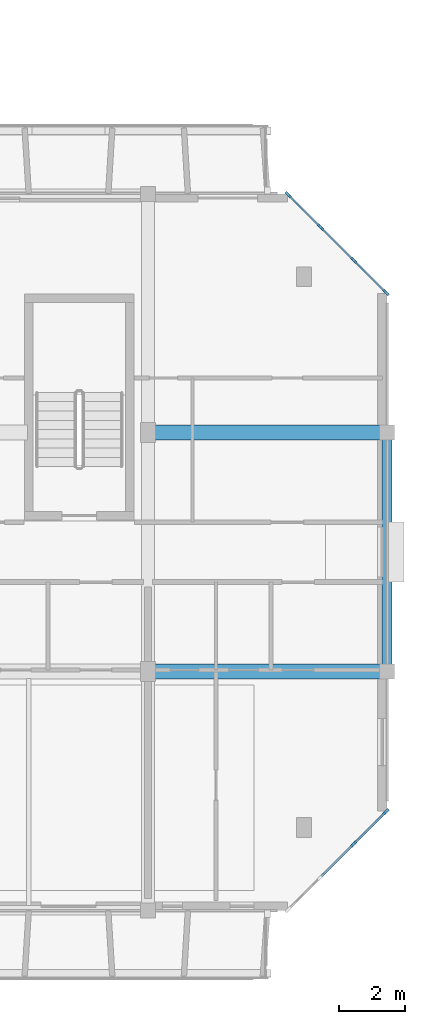
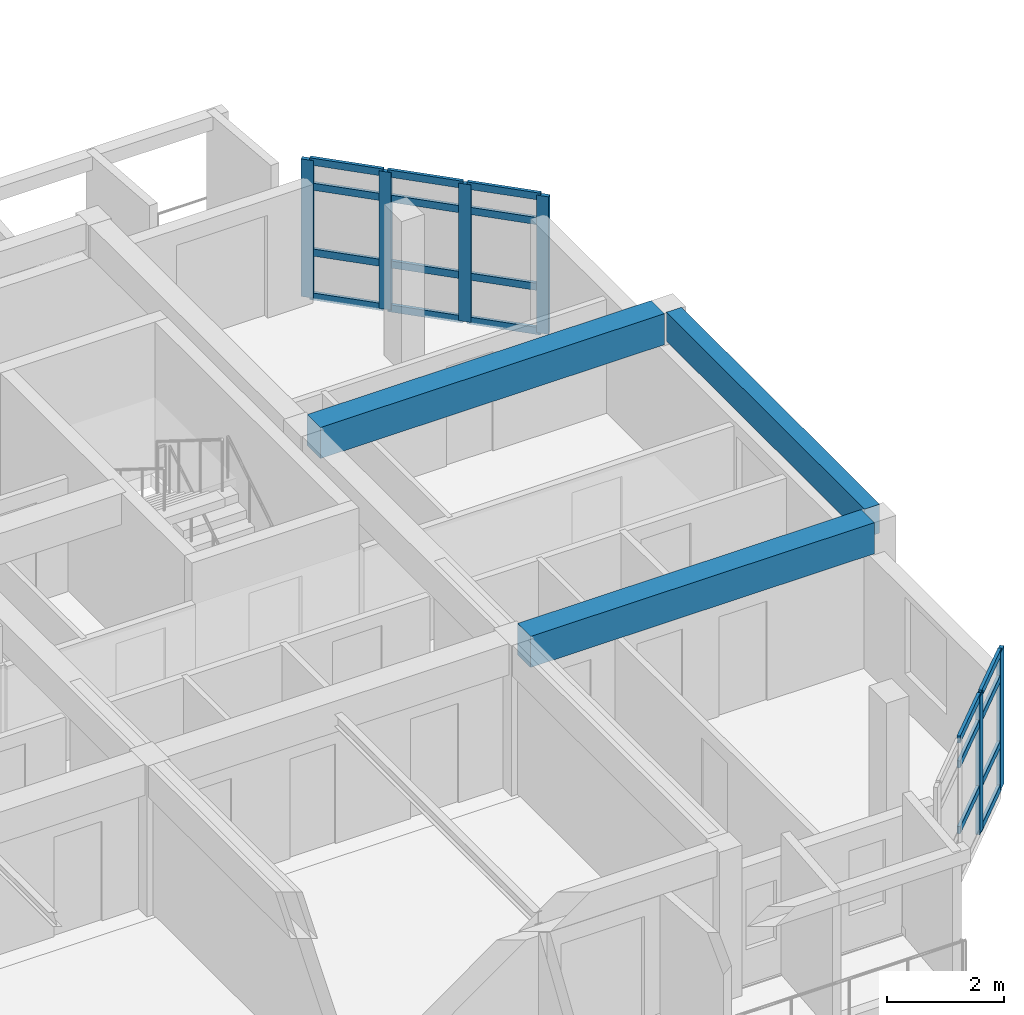
# One storey, part 11 of 43: 25 members, 3 beams, 2 elements without a shape of their own.
"""IFC4 building model written with IfcOpenShell, lengths in metres."""

from ifc_helpers import new_model, si_unit, direction, frame, origin, origin_2d, place, context, subcontext, project, spatial, rectangle, extrude, material, layer, layer_set, material_profile, profile_set, type_object, element, aggregate, save


model = new_model("IFC4")

# Units and contexts
model_context = context("Model", 3, precision=1e-05, world=origin(), true_north=direction((0.0, 1.0)))
body_context = subcontext(model_context, "Body", "Model", "MODEL_VIEW")
ifc_project = project(units=[si_unit("LENGTHUNIT", "METRE"), si_unit("AREAUNIT", "SQUARE_METRE"), si_unit("VOLUMEUNIT", "CUBIC_METRE"), si_unit("PLANEANGLEUNIT", "RADIAN"), si_unit("MASSUNIT", "GRAM", prefix="KILO")], contexts=[model_context])

# Site, building, storey
site_placement = place(None, origin())
site = spatial("IfcSite", under=ifc_project, at=site_placement, CompositionType="ELEMENT")
building_placement = place(site_placement, origin())
building = spatial("IfcBuilding", under=site, at=building_placement, Name="Ochrevale Crest", CompositionType="ELEMENT")
storey_placement = place(building_placement, frame((0.0, 0.0, 30.75)))
storey = spatial("IfcBuildingStorey", under=building, at=storey_placement, Name="L09", CompositionType="ELEMENT", Elevation=30.75)

# Beams
ifc_material_1 = material(Name="Concrete C50/60", Category="concrete")
ifc_material_profile_1 = material_profile(ifc_material_1, rectangle(XDim=0.449951171875, YDim=0.64990234375, at=origin_2d()), Name="RC 450x650")
ifc_profile_set_1 = profile_set([ifc_material_profile_1], Name="Concrete C50/60")
beam_type_1 = type_object("IfcBeamType", Name="BM-PG450x650", PredefinedType="USERDEFINED", material=ifc_profile_set_1)
for number, where, z_axis, x_axis, name in (
    (1, (158.60009765625, 21.60009765625, 2.824951171875), (1.0, 0.0, 0.0), (0.0, 1.0, 0.0), "Block C L09 E-W beam Y=21.6"),
    (2, (158.60009765625, 28.800048828125, 2.824951171875), (1.0, 0.0, 0.0), (0.0, 1.0, 0.0), "Block C L09 E-W beam Y=28.8"),
):
    element("IfcBeam", number, at=place(storey_placement, frame(where, z_axis=z_axis, x_axis=x_axis)), inside=storey, type_object=beam_type_1, Name=name, ObjectType="GIRDER", PredefinedType="USERDEFINED", context=body_context, shape_type="SweptSolid", body=[
        extrude(rectangle(XDim=0.449951171875, YDim=0.64990234375, at=origin_2d()), origin(), (0.0, 0.0, 1.0), 6.7998046875),
    ])
ifc_material_2 = material(Name="Precast concrete C40/50", Category="concrete")
ifc_material_profile_2 = material_profile(ifc_material_2, rectangle(XDim=0.300048828125, YDim=0.60009765625, at=origin_2d()), Name="PC 300x600")
ifc_profile_set_2 = profile_set([ifc_material_profile_2], Name="Precast concrete C40/50")
beam_type_2 = type_object("IfcBeamType", Name="BM-SP300x600", PredefinedType="SPANDREL", material=ifc_profile_set_2)
beam_placement = place(storey_placement, frame((165.60009765625, 21.804931640625, 2.85009765625), z_axis=(0.0, 1.0, 0.0), x_axis=(-1.0, 0.0, 0.0)))
element("IfcBeam", 3, at=beam_placement, inside=storey, type_object=beam_type_2, Name="Block C L09 N-S beam X=165.6", PredefinedType="SPANDREL", context=body_context, shape_type="SweptSolid", body=[
    extrude(rectangle(XDim=0.300048828125, YDim=0.60009765625, at=origin_2d()), origin(), (0.0, 0.0, 1.0), 6.7900390625),
])

# Curtain wall, members
ifc_material_3 = material(Name="Anodised aluminium 6063-T5", Category="aluminium")
ifc_layer_1 = layer(ifc_material_3, 0.14990234375)
ifc_layer_set_1 = layer_set([ifc_layer_1], Name="Anodised aluminium 6063-T5")
curtain_wall_type_1 = type_object("IfcCurtainWallType", Name="CW-WG-280x285", PredefinedType="NOTDEFINED", material=ifc_layer_set_1)
curtain_wall_1_placement = place(storey_placement, origin())
curtain_wall_1 = element("IfcCurtainWall", 4, at=curtain_wall_1_placement, inside=storey, type_object=curtain_wall_type_1, Name="Block C L09 chamfered corner wintergarden curtain wall 2", PredefinedType="NOTDEFINED")
ifc_material_profile_3 = material_profile(ifc_material_3, rectangle(XDim=0.074951171875, YDim=0.219970703125, at=origin_2d()), Name="ALU 75x220")
ifc_profile_set_3 = profile_set([ifc_material_profile_3], Name="Anodised aluminium 6063-T5")
member_type_1 = type_object("IfcMemberType", Name="CW-MUL-75x220", PredefinedType="MULLION", material=ifc_profile_set_3)
member_1_placement = place(storey_placement, frame((164.60009765625, 16.39990234375, 0.0), z_axis=(0.0, 0.0, 1.0), x_axis=(-0.707106781187, 0.707106781187, 0.0)))
member_1 = element("IfcMember", 5, at=member_1_placement, type_object=member_type_1, Name="CW16 mullion 3", PredefinedType="MULLION", context=body_context, shape_type="SweptSolid", body=[
    extrude(rectangle(XDim=0.074951171875, YDim=0.219970703125, at=origin_2d()), origin(), (0.0, 0.0, 1.0), 2.875),
])
member_2_placement = place(storey_placement, frame((165.573486328125, 17.37353515625, 0.0), z_axis=(0.0, 0.0, 1.0), x_axis=(-0.707106781187, 0.707106781187, 0.0)))
member_2 = element("IfcMember", 6, at=member_2_placement, type_object=member_type_1, Name="CW16 mullion 4", PredefinedType="MULLION", context=body_context, shape_type="SweptSolid", body=[
    extrude(rectangle(XDim=0.074951171875, YDim=0.219970703125, at=origin_2d()), origin(), (0.0, 0.0, 1.0), 2.875),
])

ifc_layer_2 = layer(ifc_material_3, 0.14990234375)
ifc_layer_set_2 = layer_set([ifc_layer_2], Name="Anodised aluminium 6063-T5")
curtain_wall_type_2 = type_object("IfcCurtainWallType", Name="CW-WG-360x285", PredefinedType="NOTDEFINED", material=ifc_layer_set_2)
curtain_wall_2_placement = place(storey_placement, origin())
curtain_wall_2 = element("IfcCurtainWall", 7, at=curtain_wall_2_placement, inside=storey, type_object=curtain_wall_type_2, Name="Block C L09 chamfered corner wintergarden curtain wall 4", PredefinedType="NOTDEFINED")
member_3_placement = place(storey_placement, frame((165.573486328125, 33.026611328125, 0.0), z_axis=(0.0, 0.0, 1.0), x_axis=(-0.707106781187, -0.707106781187, 0.0)))
member_3 = element("IfcMember", 8, at=member_3_placement, type_object=member_type_1, Name="CW18 mullion 1", PredefinedType="MULLION", context=body_context, shape_type="SweptSolid", body=[
    extrude(rectangle(XDim=0.074951171875, YDim=0.219970703125, at=origin_2d()), origin(), (0.0, 0.0, 1.0), 2.875),
])
member_4_placement = place(storey_placement, frame((164.60009765625, 34.0, 0.0), z_axis=(0.0, 0.0, 1.0), x_axis=(-0.707106781187, -0.707106781187, 0.0)))
member_4 = element("IfcMember", 9, at=member_4_placement, type_object=member_type_1, Name="CW18 mullion 2", PredefinedType="MULLION", context=body_context, shape_type="SweptSolid", body=[
    extrude(rectangle(XDim=0.074951171875, YDim=0.219970703125, at=origin_2d()), origin(), (0.0, 0.0, 1.0), 2.875),
])
member_5_placement = place(storey_placement, frame((163.60009765625, 35.0, 0.0), z_axis=(0.0, 0.0, 1.0), x_axis=(-0.707106781187, -0.707106781187, 0.0)))
member_5 = element("IfcMember", 10, at=member_5_placement, type_object=member_type_1, Name="CW18 mullion 3", PredefinedType="MULLION", context=body_context, shape_type="SweptSolid", body=[
    extrude(rectangle(XDim=0.074951171875, YDim=0.219970703125, at=origin_2d()), origin(), (0.0, 0.0, 1.0), 2.875),
])
member_6_placement = place(storey_placement, frame((162.62646484375, 35.973388671875, 0.0), z_axis=(0.0, 0.0, 1.0), x_axis=(-0.707106781187, -0.707106781187, 0.0)))
member_6 = element("IfcMember", 11, at=member_6_placement, type_object=member_type_1, Name="CW18 mullion 4", PredefinedType="MULLION", context=body_context, shape_type="SweptSolid", body=[
    extrude(rectangle(XDim=0.074951171875, YDim=0.219970703125, at=origin_2d()), origin(), (0.0, 0.0, 1.0), 2.875),
])

# Member
ifc_material_profile_4 = material_profile(ifc_material_3, rectangle(XDim=0.06005859375, YDim=0.14990234375, at=origin_2d()), Name="ALU 60x150")
ifc_profile_set_4 = profile_set([ifc_material_profile_4], Name="Anodised aluminium 6063-T5")
member_type_2 = type_object("IfcMemberType", Name="CW-TRN-60x150", PredefinedType="USERDEFINED", material=ifc_profile_set_4)
member_7_placement = place(storey_placement, frame((163.62646484375, 15.426513671875, 0.949951171875), z_axis=(0.707106781187, 0.707106781187, 0.0), x_axis=(-0.707106781187, 0.707106781187, 0.0)))
member_7 = element("IfcMember", 12, at=member_7_placement, type_object=member_type_2, Name="CW16 transom 2.2", ObjectType="TRANSOM", PredefinedType="USERDEFINED", context=body_context, shape_type="SweptSolid", body=[
    extrude(rectangle(XDim=0.06005859375, YDim=0.14990234375, at=origin_2d()), origin(), (0.0, 0.0, 1.0), 1.33935546875),
])

member_8_placement = place(storey_placement, frame((163.62646484375, 15.426513671875, 2.324951171875), z_axis=(0.707106781187, 0.707106781187, 0.0), x_axis=(-0.707106781187, 0.707106781187, 0.0)))
member_8 = element("IfcMember", 13, at=member_8_placement, type_object=member_type_2, Name="CW16 transom 2.3", ObjectType="TRANSOM", PredefinedType="USERDEFINED", context=body_context, shape_type="SweptSolid", body=[
    extrude(rectangle(XDim=0.06005859375, YDim=0.14990234375, at=origin_2d()), origin(), (0.0, 0.0, 1.0), 1.33935546875),
])

member_9_placement = place(storey_placement, frame((163.62646484375, 15.426513671875, 2.844970703125), z_axis=(0.707106781187, 0.707106781187, 0.0), x_axis=(-0.707106781187, 0.707106781187, 0.0)))
member_9 = element("IfcMember", 14, at=member_9_placement, type_object=member_type_2, Name="CW16 transom 2.4", ObjectType="TRANSOM", PredefinedType="USERDEFINED", context=body_context, shape_type="SweptSolid", body=[
    extrude(rectangle(XDim=0.06005859375, YDim=0.14990234375, at=origin_2d()), origin(), (0.0, 0.0, 1.0), 1.33935546875),
])

member_10_placement = place(storey_placement, frame((164.62646484375, 16.426513671875, 0.030029296875), z_axis=(0.707106781187, 0.707106781187, 0.0), x_axis=(-0.707106781187, 0.707106781187, 0.0)))
member_10 = element("IfcMember", 15, at=member_10_placement, type_object=member_type_2, Name="CW16 transom 3.1", ObjectType="TRANSOM", PredefinedType="USERDEFINED", context=body_context, shape_type="SweptSolid", body=[
    extrude(rectangle(XDim=0.06005859375, YDim=0.14990234375, at=origin_2d()), origin(), (0.0, 0.0, 1.0), 1.3017578125),
])

member_11_placement = place(storey_placement, frame((164.62646484375, 16.426513671875, 0.949951171875), z_axis=(0.707106781187, 0.707106781187, 0.0), x_axis=(-0.707106781187, 0.707106781187, 0.0)))
member_11 = element("IfcMember", 16, at=member_11_placement, type_object=member_type_2, Name="CW16 transom 3.2", ObjectType="TRANSOM", PredefinedType="USERDEFINED", context=body_context, shape_type="SweptSolid", body=[
    extrude(rectangle(XDim=0.06005859375, YDim=0.14990234375, at=origin_2d()), origin(), (0.0, 0.0, 1.0), 1.3017578125),
])

member_12_placement = place(storey_placement, frame((164.62646484375, 16.426513671875, 2.324951171875), z_axis=(0.707106781187, 0.707106781187, 0.0), x_axis=(-0.707106781187, 0.707106781187, 0.0)))
member_12 = element("IfcMember", 17, at=member_12_placement, type_object=member_type_2, Name="CW16 transom 3.3", ObjectType="TRANSOM", PredefinedType="USERDEFINED", context=body_context, shape_type="SweptSolid", body=[
    extrude(rectangle(XDim=0.06005859375, YDim=0.14990234375, at=origin_2d()), origin(), (0.0, 0.0, 1.0), 1.3017578125),
])

member_13_placement = place(storey_placement, frame((164.62646484375, 16.426513671875, 2.844970703125), z_axis=(0.707106781187, 0.707106781187, 0.0), x_axis=(-0.707106781187, 0.707106781187, 0.0)))
member_13 = element("IfcMember", 18, at=member_13_placement, type_object=member_type_2, Name="CW16 transom 3.4", ObjectType="TRANSOM", PredefinedType="USERDEFINED", context=body_context, shape_type="SweptSolid", body=[
    extrude(rectangle(XDim=0.06005859375, YDim=0.14990234375, at=origin_2d()), origin(), (0.0, 0.0, 1.0), 1.3017578125),
])

aggregate(curtain_wall_1, [member_1, member_2, member_7, member_8, member_9, member_10, member_11, member_12, member_13])

member_14_placement = place(storey_placement, frame((165.546875, 33.052978515625, 0.030029296875), z_axis=(-0.707106781187, 0.707106781187, 0.0), x_axis=(-0.707106781187, -0.707106781187, 0.0)))
member_14 = element("IfcMember", 19, at=member_14_placement, type_object=member_type_2, Name="CW18 transom 1.1", ObjectType="TRANSOM", PredefinedType="USERDEFINED", context=body_context, shape_type="SweptSolid", body=[
    extrude(rectangle(XDim=0.06005859375, YDim=0.14990234375, at=origin_2d()), origin(), (0.0, 0.0, 1.0), 1.3017578125),
])

member_15_placement = place(storey_placement, frame((165.546875, 33.052978515625, 0.949951171875), z_axis=(-0.707106781187, 0.707106781187, 0.0), x_axis=(-0.707106781187, -0.707106781187, 0.0)))
member_15 = element("IfcMember", 20, at=member_15_placement, type_object=member_type_2, Name="CW18 transom 1.2", ObjectType="TRANSOM", PredefinedType="USERDEFINED", context=body_context, shape_type="SweptSolid", body=[
    extrude(rectangle(XDim=0.06005859375, YDim=0.14990234375, at=origin_2d()), origin(), (0.0, 0.0, 1.0), 1.3017578125),
])

member_16_placement = place(storey_placement, frame((165.546875, 33.052978515625, 2.324951171875), z_axis=(-0.707106781187, 0.707106781187, 0.0), x_axis=(-0.707106781187, -0.707106781187, 0.0)))
member_16 = element("IfcMember", 21, at=member_16_placement, type_object=member_type_2, Name="CW18 transom 1.3", ObjectType="TRANSOM", PredefinedType="USERDEFINED", context=body_context, shape_type="SweptSolid", body=[
    extrude(rectangle(XDim=0.06005859375, YDim=0.14990234375, at=origin_2d()), origin(), (0.0, 0.0, 1.0), 1.3017578125),
])

member_17_placement = place(storey_placement, frame((165.546875, 33.052978515625, 2.844970703125), z_axis=(-0.707106781187, 0.707106781187, 0.0), x_axis=(-0.707106781187, -0.707106781187, 0.0)))
member_17 = element("IfcMember", 22, at=member_17_placement, type_object=member_type_2, Name="CW18 transom 1.4", ObjectType="TRANSOM", PredefinedType="USERDEFINED", context=body_context, shape_type="SweptSolid", body=[
    extrude(rectangle(XDim=0.06005859375, YDim=0.14990234375, at=origin_2d()), origin(), (0.0, 0.0, 1.0), 1.3017578125),
])

member_18_placement = place(storey_placement, frame((164.573486328125, 34.026611328125, 0.030029296875), z_axis=(-0.707197932559, 0.707015618062, 0.0), x_axis=(-0.707015618062, -0.707197932559, 0.0)))
member_18 = element("IfcMember", 23, at=member_18_placement, type_object=member_type_2, Name="CW18 transom 2.1", ObjectType="TRANSOM", PredefinedType="USERDEFINED", context=body_context, shape_type="SweptSolid", body=[
    extrude(rectangle(XDim=0.06005859375, YDim=0.14990234375, at=origin_2d()), origin(), (0.0, 0.0, 1.0), 1.339111328125),
])

member_19_placement = place(storey_placement, frame((164.573486328125, 34.026611328125, 0.949951171875), z_axis=(-0.707197932559, 0.707015618062, 0.0), x_axis=(-0.707015618062, -0.707197932559, 0.0)))
member_19 = element("IfcMember", 24, at=member_19_placement, type_object=member_type_2, Name="CW18 transom 2.2", ObjectType="TRANSOM", PredefinedType="USERDEFINED", context=body_context, shape_type="SweptSolid", body=[
    extrude(rectangle(XDim=0.06005859375, YDim=0.14990234375, at=origin_2d()), origin(), (0.0, 0.0, 1.0), 1.339111328125),
])

member_20_placement = place(storey_placement, frame((164.573486328125, 34.026611328125, 2.324951171875), z_axis=(-0.707197932559, 0.707015618062, 0.0), x_axis=(-0.707015618062, -0.707197932559, 0.0)))
member_20 = element("IfcMember", 25, at=member_20_placement, type_object=member_type_2, Name="CW18 transom 2.3", ObjectType="TRANSOM", PredefinedType="USERDEFINED", context=body_context, shape_type="SweptSolid", body=[
    extrude(rectangle(XDim=0.06005859375, YDim=0.14990234375, at=origin_2d()), origin(), (0.0, 0.0, 1.0), 1.339111328125),
])

member_21_placement = place(storey_placement, frame((164.573486328125, 34.026611328125, 2.844970703125), z_axis=(-0.707197932559, 0.707015618062, 0.0), x_axis=(-0.707015618062, -0.707197932559, 0.0)))
member_21 = element("IfcMember", 26, at=member_21_placement, type_object=member_type_2, Name="CW18 transom 2.4", ObjectType="TRANSOM", PredefinedType="USERDEFINED", context=body_context, shape_type="SweptSolid", body=[
    extrude(rectangle(XDim=0.06005859375, YDim=0.14990234375, at=origin_2d()), origin(), (0.0, 0.0, 1.0), 1.339111328125),
])

member_22_placement = place(storey_placement, frame((163.573486328125, 35.026611328125, 0.030029296875), z_axis=(-0.707106781187, 0.707106781187, 0.0), x_axis=(-0.707106781187, -0.707106781187, 0.0)))
member_22 = element("IfcMember", 27, at=member_22_placement, type_object=member_type_2, Name="CW18 transom 3.1", ObjectType="TRANSOM", PredefinedType="USERDEFINED", context=body_context, shape_type="SweptSolid", body=[
    extrude(rectangle(XDim=0.06005859375, YDim=0.14990234375, at=origin_2d()), origin(), (0.0, 0.0, 1.0), 1.3017578125),
])

member_23_placement = place(storey_placement, frame((163.573486328125, 35.026611328125, 0.949951171875), z_axis=(-0.707106781187, 0.707106781187, 0.0), x_axis=(-0.707106781187, -0.707106781187, 0.0)))
member_23 = element("IfcMember", 28, at=member_23_placement, type_object=member_type_2, Name="CW18 transom 3.2", ObjectType="TRANSOM", PredefinedType="USERDEFINED", context=body_context, shape_type="SweptSolid", body=[
    extrude(rectangle(XDim=0.06005859375, YDim=0.14990234375, at=origin_2d()), origin(), (0.0, 0.0, 1.0), 1.3017578125),
])

member_24_placement = place(storey_placement, frame((163.573486328125, 35.026611328125, 2.324951171875), z_axis=(-0.707106781187, 0.707106781187, 0.0), x_axis=(-0.707106781187, -0.707106781187, 0.0)))
member_24 = element("IfcMember", 29, at=member_24_placement, type_object=member_type_2, Name="CW18 transom 3.3", ObjectType="TRANSOM", PredefinedType="USERDEFINED", context=body_context, shape_type="SweptSolid", body=[
    extrude(rectangle(XDim=0.06005859375, YDim=0.14990234375, at=origin_2d()), origin(), (0.0, 0.0, 1.0), 1.3017578125),
])

member_25_placement = place(storey_placement, frame((163.573486328125, 35.026611328125, 2.844970703125), z_axis=(-0.707106781187, 0.707106781187, 0.0), x_axis=(-0.707106781187, -0.707106781187, 0.0)))
member_25 = element("IfcMember", 30, at=member_25_placement, type_object=member_type_2, Name="CW18 transom 3.4", ObjectType="TRANSOM", PredefinedType="USERDEFINED", context=body_context, shape_type="SweptSolid", body=[
    extrude(rectangle(XDim=0.06005859375, YDim=0.14990234375, at=origin_2d()), origin(), (0.0, 0.0, 1.0), 1.3017578125),
])

aggregate(curtain_wall_2, [member_3, member_4, member_5, member_6, member_14, member_15, member_16, member_17, member_18, member_19, member_20, member_21, member_22, member_23, member_24, member_25])

save(model, "model.ifc")
